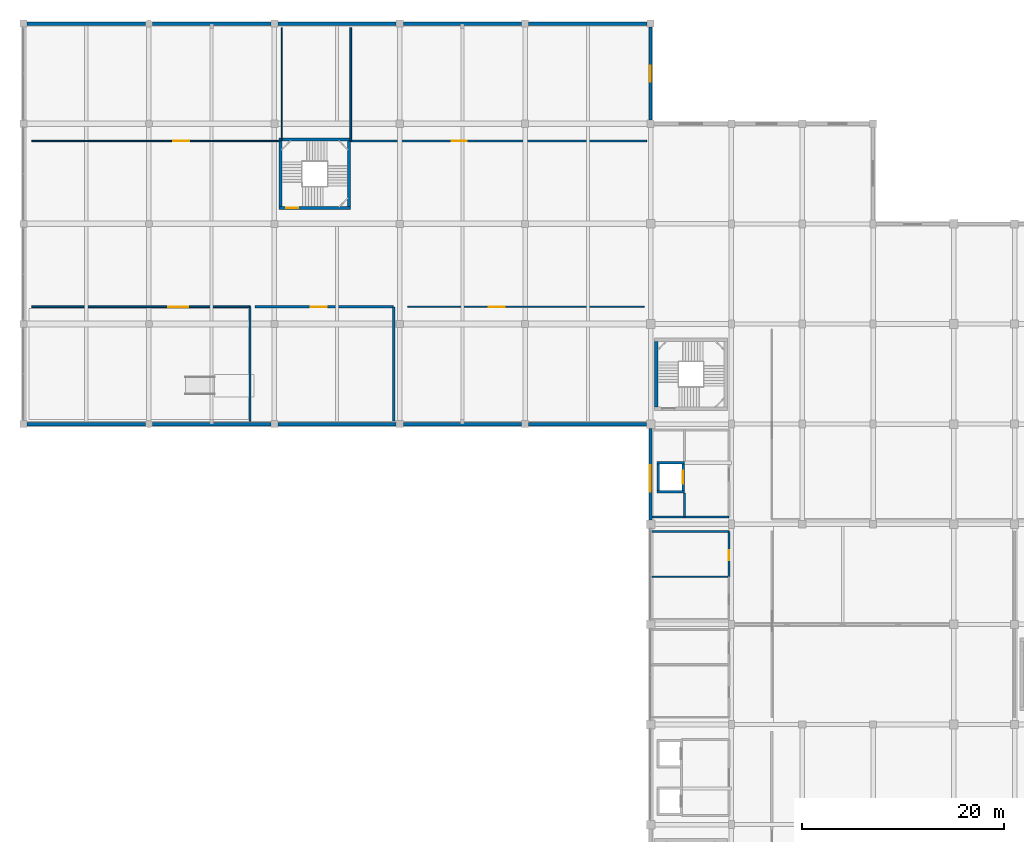
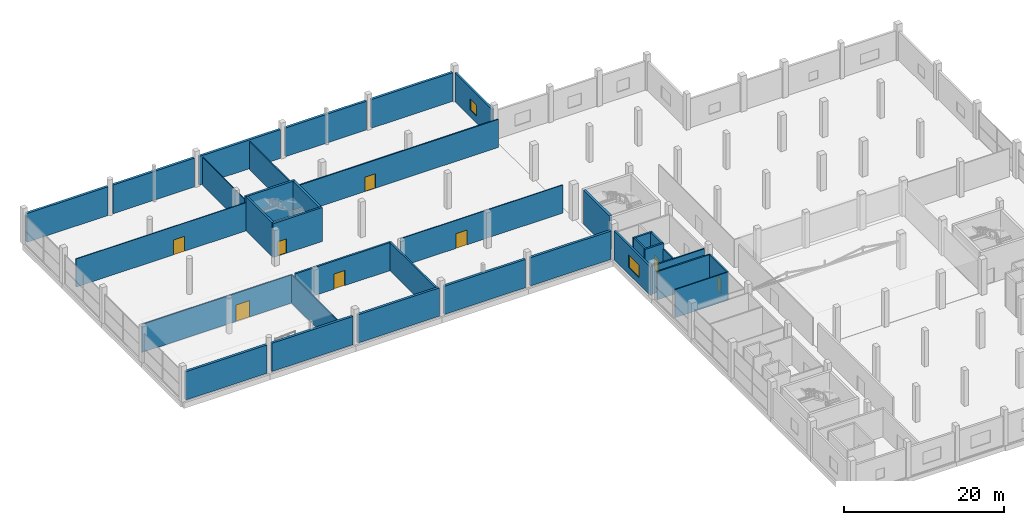
# One storey, part 45 of 72: 35 walls, 8 doors, 2 windows, 10 openings.
"""IFC4 building model written with IfcOpenShell, lengths in metres."""

from ifc_helpers import new_model, si_unit, direction, frame, frame_2d, origin, place, context, subcontext, project, spatial, rectangle, extrude, material, layer, layer_set, type_object, element, fill, save


model = new_model("IFC4")

# Units and contexts
model_context = context("Model", 3, precision=1e-05, world=origin(), true_north=direction((0.0, 1.0)))
body_context = subcontext(model_context, "Body", "Model", "MODEL_VIEW")
ifc_project = project(units=[si_unit("LENGTHUNIT", "METRE"), si_unit("AREAUNIT", "SQUARE_METRE"), si_unit("VOLUMEUNIT", "CUBIC_METRE"), si_unit("PLANEANGLEUNIT", "RADIAN"), si_unit("MASSUNIT", "GRAM", prefix="KILO")], contexts=[model_context])

# Site, building, storey
site_placement = place(None, origin())
site = spatial("IfcSite", under=ifc_project, at=site_placement, CompositionType="ELEMENT")
building_placement = place(site_placement, origin())
building = spatial("IfcBuilding", under=site, at=building_placement, Name="Sillaruma Civic Art Gallery", CompositionType="ELEMENT")
storey_placement = place(building_placement, frame((0.0, 0.0, 10.8798828125)))
storey = spatial("IfcBuildingStorey", under=building, at=storey_placement, Name="L02", CompositionType="ELEMENT", Elevation=10.8798828125)

# Wall, opening, door
ifc_material_1 = material(Name="Concrete H40 (40 MPa)", Category="concrete")
ifc_layer_1 = layer(ifc_material_1, 0.300048828125, Name="Concrete H40 (40 MPa)")
ifc_layer_set_1 = layer_set([ifc_layer_1], Name="Concrete H40 (40 MPa)")
wall_type_1 = type_object("IfcWallType", Name="WAL-CORE-300", PredefinedType="SHEAR", material=ifc_layer_set_1)
wall_1_placement = place(storey_placement, frame((25.260009765625, 100.550048828125, 0.0), z_axis=(0.0, 0.0, 1.0), x_axis=(1.0, 0.0, 0.0)))
wall_1 = element("IfcWall", 1, at=wall_1_placement, inside=storey, type_object=wall_type_1, Name="Stair Core Shear Wall W-CORE-300 (ST-01:L02:S)", PredefinedType="SHEAR", context=body_context, shape_type="SweptSolid", body=[
    extrude(rectangle(XDim=7.080078125, YDim=0.300048828125, at=frame_2d((3.5400390625, 0.0))), origin(), (0.0, 0.0, 1.0), 5.16015625),
])
opening_1_placement = place(wall_1_placement, frame((0.719970703125, 0.0, 0.0)))
opening_1 = element("IfcOpeningElement", 2, at=opening_1_placement, cuts=wall_1, Name="Opening D-STAIR", PredefinedType="OPENING", context=body_context, shape_type="SweptSolid", body=[
    extrude(rectangle(XDim=1.199951171875, YDim=2.199951171875, at=frame_2d((0.60009765625, 1.10009765625))), frame((0.0, 0.159912109375, 0.0), z_axis=(0.0, -1.0, 0.0), x_axis=(1.0, 0.0, 0.0)), (0.0, 0.0, 1.0), 0.320068359375),
])
ifc_material_2 = material(Name="Galvanised Steel ASTM A653 Gr.50", Category="steel")
door_type_1 = type_object("IfcDoorType", Name="DOR-STAIR-120", OperationType="NOTDEFINED", PredefinedType="DOOR", material=ifc_material_2)
door_1_placement = place(opening_1_placement, origin())
door_1 = element("IfcDoor", 3, at=door_1_placement, inside=storey, type_object=door_type_1, Name="Protected Stair Fire Door (ST-01:L02)", OperationType="SINGLE_SWING_RIGHT", OverallHeight=2.199951171875, OverallWidth=1.199951171875, PredefinedType="DOOR", context=body_context, shape_type="SweptSolid", body=[
    extrude(rectangle(XDim=1.199951171875, YDim=2.199951171875, at=frame_2d((0.60009765625, 1.10009765625))), frame((0.0, 0.02490234375, 0.0), z_axis=(0.0, -1.0, 0.0), x_axis=(1.0, 0.0, 0.0)), (0.0, 0.0, 1.0), 0.050048828125),
])
fill(opening_1, door_1)

# Walls
wall_2_placement = place(storey_placement, frame((25.260009765625, 107.330078125, 0.0), z_axis=(0.0, 0.0, 1.0), x_axis=(1.0, 0.0, 0.0)))
element("IfcWall", 4, at=wall_2_placement, inside=storey, type_object=wall_type_1, Name="Stair Core Shear Wall W-CORE-300 (ST-01:L02:N)", PredefinedType="SHEAR", context=body_context, shape_type="SweptSolid", body=[
    extrude(rectangle(XDim=7.080078125, YDim=0.300048828125, at=frame_2d((3.5400390625, 0.0))), origin(), (0.0, 0.0, 1.0), 5.16015625),
])
for number, where, z_axis, x_axis, name in (
    (5, (25.409912109375, 100.699951171875, 0.0), (0.0, 0.0, 1.0), (0.0, 1.0, 0.0), "Stair Core Shear Wall W-CORE-300 (ST-01:L02:W)"),
    (6, (32.18994140625, 100.699951171875, 0.0), (0.0, 0.0, 1.0), (0.0, 1.0, 0.0), "Stair Core Shear Wall W-CORE-300 (ST-01:L02:E)"),
):
    element("IfcWall", number, at=place(storey_placement, frame(where, z_axis=z_axis, x_axis=x_axis)), inside=storey, type_object=wall_type_1, Name=name, PredefinedType="SHEAR", context=body_context, shape_type="SweptSolid", body=[
        extrude(rectangle(XDim=6.47998046875, YDim=0.300048828125, at=frame_2d((3.239990234375, 0.0))), origin(), (0.0, 0.0, 1.0), 5.16015625),
    ])
ifc_layer_2 = layer(ifc_material_1, 0.35009765625, Name="Concrete H40 (40 MPa)")
ifc_layer_set_2 = layer_set([ifc_layer_2], Name="Concrete H40 (40 MPa)")
wall_type_2 = type_object("IfcWallType", Name="WAL-CORE-350", PredefinedType="SHEAR", material=ifc_layer_set_2)
wall_3_placement = place(storey_placement, frame((62.5849609375, 80.909912109375, 0.0), z_axis=(0.0, 0.0, 1.0), x_axis=(0.0, 1.0, 0.0)))
element("IfcWall", 7, at=wall_3_placement, inside=storey, type_object=wall_type_2, Name="Stair Core Shear Wall W-CORE-350 (ST-02:L02:W)", PredefinedType="SHEAR", context=body_context, shape_type="SweptSolid", body=[
    extrude(rectangle(XDim=6.47998046875, YDim=0.35009765625, at=frame_2d((3.239990234375, 0.0))), origin(), (0.0, 0.0, 1.0), 5.16015625),
])

# Wall, opening, window
ifc_material_3 = material(Name="Concrete H35 (35 MPa)", Category="concrete")
ifc_layer_3 = layer(ifc_material_3, 0.159912109375, Name="Concrete backup", Category="concrete")
ifc_material_4 = material(Name="Mineral Wool Thermal Insulation", Category="insulation")
ifc_layer_4 = layer(ifc_material_4, 0.090087890625, Name="Thermal insulation", Category="insulation")
ifc_material_5 = material(Name="Anodised Zinc-Aluminium Alloy", Category="aluminium")
ifc_layer_5 = layer(ifc_material_5, 0.030029296875, Name="Rainscreen finish", Category="aluminium")
ifc_layer_set_3 = layer_set([ifc_layer_3, ifc_layer_4, ifc_layer_5], Name="W-EXT-280")
wall_type_3 = type_object("IfcWallType", Name="WAL-EXT-280", PredefinedType="SOLIDWALL", material=ifc_layer_set_3)
wall_4_placement = place(storey_placement, frame((62.0, 69.72509765625, 0.0), z_axis=(0.0, 0.0, 1.0), x_axis=(0.0, 1.0, 0.0)))
wall_4 = element("IfcWall", 8, at=wall_4_placement, inside=storey, type_object=wall_type_3, Name="Exterior Wall W-EXT-280 (EW-L02-SPW-6)", PredefinedType="SOLIDWALL", context=body_context, shape_type="SweptSolid", body=[
    extrude(rectangle(XDim=9.0498046875, YDim=0.280029296875, at=frame_2d((4.52490234375, 0.0))), origin(), (0.0, 0.0, 1.0), 4.380126953125),
])
opening_2_placement = place(wall_4_placement, frame((2.800048828125, 0.0, 1.050048828125)))
opening_2 = element("IfcOpeningElement", 9, at=opening_2_placement, cuts=wall_4, Name="Opening WN-08", PredefinedType="OPENING", context=body_context, shape_type="SweptSolid", body=[
    extrude(rectangle(XDim=2.60009765625, YDim=1.85009765625, at=frame_2d((1.300048828125, 0.925048828125))), frame((0.0, 0.14990234375, 0.0), z_axis=(0.0, -1.0, 0.0), x_axis=(1.0, 0.0, 0.0)), (0.0, 0.0, 1.0), 0.300048828125),
])
ifc_material_6 = material(Name="Thermally Broken Extruded Aluminium 6063-T6", Category="aluminium")
window_type_1 = type_object("IfcWindowType", Name="WIN-W08", PartitioningType="SINGLE_PANEL", PredefinedType="WINDOW", material=ifc_material_6)
window_1_placement = place(opening_2_placement, origin())
window_1 = element("IfcWindow", 10, at=window_1_placement, inside=storey, type_object=window_type_1, Name="Window WN-08 (EW-L02-SPW-6-1)", OverallHeight=1.85009765625, OverallWidth=2.60009765625, PartitioningType="SINGLE_PANEL", PredefinedType="WINDOW", context=body_context, shape_type="SweptSolid", body=[
    extrude(rectangle(XDim=2.60009765625, YDim=1.85009765625, at=frame_2d((1.300048828125, 0.925048828125))), frame((0.0, 0.030029296875, 0.0), z_axis=(0.0, -1.0, 0.0), x_axis=(1.0, 0.0, 0.0)), (0.0, 0.0, 1.0), 0.06005859375),
])
fill(opening_2, window_1)

ifc_material_7 = material(Name="Precast Concrete H35 (35 MPa)", Category="concrete")
ifc_layer_6 = layer(ifc_material_7, 0.179931640625, Name="Precast backup", Category="concrete")
ifc_layer_7 = layer(ifc_material_4, 0.090087890625, Name="Thermal insulation", Category="insulation")
ifc_material_8 = material(Name="Comanche Granitic Ashlar Stone", Category="masonry")
ifc_layer_8 = layer(ifc_material_8, 0.030029296875, Name="Rainscreen cladding", Category="masonry")
ifc_layer_set_4 = layer_set([ifc_layer_6, ifc_layer_7, ifc_layer_8], Name="W-EXT-300")
wall_type_4 = type_object("IfcWallType", Name="WAL-EXT-300", PredefinedType="SOLIDWALL", material=ifc_layer_set_4)
wall_5_placement = place(storey_placement, frame((62.0, 109.25, 0.0), z_axis=(0.0, 0.0, 1.0), x_axis=(0.0, 1.0, 0.0)))
wall_5 = element("IfcWall", 11, at=wall_5_placement, inside=storey, type_object=wall_type_4, Name="Exterior Wall W-EXT-300 (EW-L02-PNW-W)", PredefinedType="SOLIDWALL", context=body_context, shape_type="SweptSolid", body=[
    extrude(rectangle(XDim=9.199951171875, YDim=0.300048828125, at=frame_2d((4.60009765625, 0.0))), origin(), (0.0, 0.0, 1.0), 4.380126953125),
])
opening_3_placement = place(wall_5_placement, frame((3.800048828125, 0.0, 1.050048828125)))
opening_3 = element("IfcOpeningElement", 12, at=opening_3_placement, cuts=wall_5, Name="Opening WN-05", PredefinedType="OPENING", context=body_context, shape_type="SweptSolid", body=[
    extrude(rectangle(XDim=1.60009765625, YDim=1.64990234375, at=frame_2d((0.800048828125, 0.824951171875))), frame((0.0, 0.159912109375, 0.0), z_axis=(0.0, -1.0, 0.0), x_axis=(1.0, 0.0, 0.0)), (0.0, 0.0, 1.0), 0.320068359375),
])
window_type_2 = type_object("IfcWindowType", Name="WIN-W05", PartitioningType="SINGLE_PANEL", PredefinedType="WINDOW", material=ifc_material_6)
window_2_placement = place(opening_3_placement, origin())
window_2 = element("IfcWindow", 13, at=window_2_placement, inside=storey, type_object=window_type_2, Name="Window WN-05 (EW-L02-PNW-W-1)", OverallHeight=1.64990234375, OverallWidth=1.60009765625, PartitioningType="SINGLE_PANEL", PredefinedType="WINDOW", context=body_context, shape_type="SweptSolid", body=[
    extrude(rectangle(XDim=1.60009765625, YDim=1.64990234375, at=frame_2d((0.800048828125, 0.824951171875))), frame((0.0, 0.030029296875, 0.0), z_axis=(0.0, -1.0, 0.0), x_axis=(1.0, 0.0, 0.0)), (0.0, 0.0, 1.0), 0.06005859375),
])
fill(opening_3, window_2)

# Walls
ifc_layer_9 = layer(ifc_material_1, 0.239990234375, Name="Boundary concrete", Category="concrete")
ifc_layer_10 = layer(ifc_material_4, 0.10009765625, Name="Acoustic-thermal liner", Category="insulation")
ifc_layer_set_5 = layer_set([ifc_layer_9, ifc_layer_10], Name="W-EXT-340")
wall_type_5 = type_object("IfcWallType", Name="WAL-EXT-340", PredefinedType="SOLIDWALL", material=ifc_layer_set_5)
wall_6_placement = place(storey_placement, frame((0.35009765625, 118.800048828125, 0.0), z_axis=(0.0, 0.0, 1.0), x_axis=(1.0, 0.0, 0.0)))
element("IfcWall", 14, at=wall_6_placement, inside=storey, type_object=wall_type_5, Name="Exterior Wall W-EXT-340 (EW-L02-WPN-1)", PredefinedType="SOLIDWALL", context=body_context, shape_type="SweptSolid", body=[
    extrude(rectangle(XDim=11.68994140625, YDim=0.340087890625, at=frame_2d((5.844970703125, 0.0))), origin(), (0.0, 0.0, 1.0), 4.380126953125),
])
wall_7_placement = place(storey_placement, frame((0.35009765625, 79.199951171875, 0.0), z_axis=(0.0, 0.0, 1.0), x_axis=(1.0, 0.0, 0.0)))
element("IfcWall", 15, at=wall_7_placement, inside=storey, type_object=wall_type_5, Name="Exterior Wall W-EXT-340 (EW-L02-WPS-1)", PredefinedType="SOLIDWALL", context=body_context, shape_type="SweptSolid", body=[
    extrude(rectangle(XDim=11.68994140625, YDim=0.340087890625, at=frame_2d((5.844970703125, 0.0))), origin(), (0.0, 0.0, 1.0), 4.31005859375),
])
wall_8_placement = place(storey_placement, frame((12.760009765625, 118.800048828125, 0.0), z_axis=(0.0, 0.0, 1.0), x_axis=(1.0, 0.0, 0.0)))
element("IfcWall", 16, at=wall_8_placement, inside=storey, type_object=wall_type_5, Name="Exterior Wall W-EXT-340 (EW-L02-WPN-2)", PredefinedType="SOLIDWALL", context=body_context, shape_type="SweptSolid", body=[
    extrude(rectangle(XDim=11.68994140625, YDim=0.340087890625, at=frame_2d((5.844970703125, 0.0))), origin(), (0.0, 0.0, 1.0), 4.380126953125),
])
wall_9_placement = place(storey_placement, frame((12.760009765625, 79.199951171875, 0.0), z_axis=(0.0, 0.0, 1.0), x_axis=(1.0, 0.0, 0.0)))
element("IfcWall", 17, at=wall_9_placement, inside=storey, type_object=wall_type_5, Name="Exterior Wall W-EXT-340 (EW-L02-WPS-2)", PredefinedType="SOLIDWALL", context=body_context, shape_type="SweptSolid", body=[
    extrude(rectangle(XDim=11.68994140625, YDim=0.340087890625, at=frame_2d((5.844970703125, 0.0))), origin(), (0.0, 0.0, 1.0), 4.31005859375),
])
wall_10_placement = place(storey_placement, frame((25.14990234375, 118.800048828125, 0.0), z_axis=(0.0, 0.0, 1.0), x_axis=(1.0, 0.0, 0.0)))
element("IfcWall", 18, at=wall_10_placement, inside=storey, type_object=wall_type_5, Name="Exterior Wall W-EXT-340 (EW-L02-WPN-3)", PredefinedType="SOLIDWALL", context=body_context, shape_type="SweptSolid", body=[
    extrude(rectangle(XDim=11.7001953125, YDim=0.340087890625, at=frame_2d((5.85009765625, 0.0))), origin(), (0.0, 0.0, 1.0), 4.380126953125),
])
wall_11_placement = place(storey_placement, frame((25.14990234375, 79.199951171875, 0.0), z_axis=(0.0, 0.0, 1.0), x_axis=(1.0, 0.0, 0.0)))
element("IfcWall", 19, at=wall_11_placement, inside=storey, type_object=wall_type_5, Name="Exterior Wall W-EXT-340 (EW-L02-WPS-3)", PredefinedType="SOLIDWALL", context=body_context, shape_type="SweptSolid", body=[
    extrude(rectangle(XDim=11.7001953125, YDim=0.340087890625, at=frame_2d((5.85009765625, 0.0))), origin(), (0.0, 0.0, 1.0), 4.31005859375),
])
wall_12_placement = place(storey_placement, frame((37.550048828125, 118.800048828125, 0.0), z_axis=(0.0, 0.0, 1.0), x_axis=(1.0, 0.0, 0.0)))
element("IfcWall", 20, at=wall_12_placement, inside=storey, type_object=wall_type_5, Name="Exterior Wall W-EXT-340 (EW-L02-WPN-4)", PredefinedType="SOLIDWALL", context=body_context, shape_type="SweptSolid", body=[
    extrude(rectangle(XDim=11.699951171875, YDim=0.340087890625, at=frame_2d((5.85009765625, 0.0))), origin(), (0.0, 0.0, 1.0), 4.380126953125),
])
wall_13_placement = place(storey_placement, frame((37.550048828125, 79.199951171875, 0.0), z_axis=(0.0, 0.0, 1.0), x_axis=(1.0, 0.0, 0.0)))
element("IfcWall", 21, at=wall_13_placement, inside=storey, type_object=wall_type_5, Name="Exterior Wall W-EXT-340 (EW-L02-WPS-4)", PredefinedType="SOLIDWALL", context=body_context, shape_type="SweptSolid", body=[
    extrude(rectangle(XDim=11.699951171875, YDim=0.340087890625, at=frame_2d((5.85009765625, 0.0))), origin(), (0.0, 0.0, 1.0), 4.31005859375),
])
wall_14_placement = place(storey_placement, frame((49.949951171875, 118.800048828125, 0.0), z_axis=(0.0, 0.0, 1.0), x_axis=(1.0, 0.0, 0.0)))
element("IfcWall", 22, at=wall_14_placement, inside=storey, type_object=wall_type_5, Name="Exterior Wall W-EXT-340 (EW-L02-WPN-5)", PredefinedType="SOLIDWALL", context=body_context, shape_type="SweptSolid", body=[
    extrude(rectangle(XDim=11.699951171875, YDim=0.340087890625, at=frame_2d((5.85009765625, 0.0))), origin(), (0.0, 0.0, 1.0), 4.380126953125),
])
wall_15_placement = place(storey_placement, frame((49.949951171875, 79.199951171875, 0.0), z_axis=(0.0, 0.0, 1.0), x_axis=(1.0, 0.0, 0.0)))
element("IfcWall", 23, at=wall_15_placement, inside=storey, type_object=wall_type_5, Name="Exterior Wall W-EXT-340 (EW-L02-WPS-5)", PredefinedType="SOLIDWALL", context=body_context, shape_type="SweptSolid", body=[
    extrude(rectangle(XDim=11.625, YDim=0.340087890625, at=frame_2d((5.8125, 0.0))), origin(), (0.0, 0.0, 1.0), 4.31005859375),
])
ifc_material_9 = material(Name="Concrete Masonry Unit Grade M15", Category="masonry")
ifc_layer_11 = layer(ifc_material_9, 0.199951171875, Name="Concrete Masonry Unit Grade M15")
ifc_layer_set_6 = layer_set([ifc_layer_11], Name="Concrete Masonry Unit Grade M15")
wall_type_6 = type_object("IfcWallType", Name="WAL-LOBBY-200", PredefinedType="SOLIDWALL", material=ifc_layer_set_6)
wall_16_placement = place(storey_placement, frame((62.14990234375, 70.0, 0.0), z_axis=(0.0, 0.0, 1.0), x_axis=(1.0, 0.0, 0.0)))
element("IfcWall", 24, at=wall_16_placement, inside=storey, type_object=wall_type_6, Name="Interior Wall W-LOBBY-200 (L02-FFL)", PredefinedType="SOLIDWALL", context=body_context, shape_type="SweptSolid", body=[
    extrude(rectangle(XDim=7.60009765625, YDim=0.199951171875, at=frame_2d((3.800048828125, 0.0))), origin(), (0.0, 0.0, 1.0), 4.280029296875),
])
wall_17_placement = place(storey_placement, frame((65.35009765625, 70.0, 0.0), z_axis=(0.0, 0.0, 1.0), x_axis=(0.0, 1.0, 0.0)))
element("IfcWall", 25, at=wall_17_placement, inside=storey, type_object=wall_type_6, Name="Interior Wall W-LOBBY-200 (L02-FFL)", PredefinedType="SOLIDWALL", context=body_context, shape_type="SweptSolid", body=[
    extrude(rectangle(XDim=2.39990234375, YDim=0.199951171875, at=frame_2d((1.199951171875, 0.0))), origin(), (0.0, 0.0, 1.0), 4.280029296875),
])
wall_18_placement = place(storey_placement, frame((62.14990234375, 68.60009765625, 0.0), z_axis=(0.0, 0.0, 1.0), x_axis=(1.0, 0.0, 0.0)))
element("IfcWall", 26, at=wall_18_placement, inside=storey, type_object=wall_type_6, Name="Interior Wall W-LOBBY-200 (L02-RSR)", PredefinedType="SOLIDWALL", context=body_context, shape_type="SweptSolid", body=[
    extrude(rectangle(XDim=7.60009765625, YDim=0.199951171875, at=frame_2d((3.800048828125, 0.0))), origin(), (0.0, 0.0, 1.0), 4.280029296875),
])

# Wall, opening, door
wall_19_placement = place(storey_placement, frame((69.75, 64.10009765625, 0.0), z_axis=(0.0, 0.0, 1.0), x_axis=(0.0, 1.0, 0.0)))
wall_19 = element("IfcWall", 27, at=wall_19_placement, inside=storey, type_object=wall_type_6, Name="Interior Wall W-LOBBY-200 (L02-RSR)", PredefinedType="SOLIDWALL", context=body_context, shape_type="SweptSolid", body=[
    extrude(rectangle(XDim=4.5, YDim=0.199951171875, at=frame_2d((2.25, 0.0))), origin(), (0.0, 0.0, 1.0), 4.280029296875),
])
opening_4_placement = place(wall_19_placement, frame((1.64990234375, 0.0, 0.0)))
opening_4 = element("IfcOpeningElement", 28, at=opening_4_placement, cuts=wall_19, Name="Opening D-RISER", PredefinedType="OPENING", context=body_context, shape_type="SweptSolid", body=[
    extrude(rectangle(XDim=1.0, YDim=2.14990234375, at=frame_2d((0.5, 1.074951171875))), frame((0.0, 0.10986328125, 0.0), z_axis=(0.0, -1.0, 0.0), x_axis=(1.0, 0.0, 0.0)), (0.0, 0.0, 1.0), 0.219970703125),
])
door_type_2 = type_object("IfcDoorType", Name="DOR-RISER-100", OperationType="NOTDEFINED", PredefinedType="DOOR", material=ifc_material_2)
door_2_placement = place(opening_4_placement, origin())
door_2 = element("IfcDoor", 29, at=door_2_placement, inside=storey, type_object=door_type_2, Name="MEP Service Riser Door (D-RISER)", OperationType="SINGLE_SWING_RIGHT", OverallHeight=2.14990234375, OverallWidth=1.0, PredefinedType="DOOR", context=body_context, shape_type="SweptSolid", body=[
    extrude(rectangle(XDim=1.0, YDim=2.14990234375, at=frame_2d((0.5, 1.074951171875))), frame((0.0, 0.02490234375, 0.0), z_axis=(0.0, -1.0, 0.0), x_axis=(1.0, 0.0, 0.0)), (0.0, 0.0, 1.0), 0.050048828125),
])
fill(opening_4, door_2)

# Walls
ifc_material_10 = material(Name="Gypsum Acoustic Board", Category="gypsum")
ifc_layer_12 = layer(ifc_material_10, 0.02490234375, Name="Finish board", Category="gypsum")
ifc_layer_13 = layer(ifc_material_4, 0.06005859375, Name="Acoustic core", Category="insulation")
ifc_material_11 = material(Name="Andean Oak Timber", Category="wood")
ifc_layer_14 = layer(ifc_material_11, 0.02490234375, Name="Gallery lining", Category="wood")
ifc_layer_set_7 = layer_set([ifc_layer_12, ifc_layer_13, ifc_layer_14], Name="W-PT-110")
wall_type_7 = type_object("IfcWallType", Name="WAL-PART-110", PredefinedType="PARTITIONING", material=ifc_layer_set_7)
wall_20_placement = place(storey_placement, frame((25.550048828125, 107.199951171875, 0.0), z_axis=(0.0, 0.0, 1.0), x_axis=(0.0, 1.0, 0.0)))
element("IfcWall", 30, at=wall_20_placement, inside=storey, type_object=wall_type_7, Name="Interior Wall W-PT-110 (L02-LRN2)", PredefinedType="PARTITIONING", context=body_context, shape_type="SweptSolid", body=[
    extrude(rectangle(XDim=11.199951171875, YDim=0.110107421875, at=frame_2d((5.60009765625, 0.0))), origin(), (0.0, 0.0, 1.0), 4.280029296875),
])
ifc_layer_15 = layer(ifc_material_10, 0.02490234375, Name="Finish board", Category="gypsum")
ifc_layer_16 = layer(ifc_material_4, 0.070068359375, Name="Acoustic core", Category="insulation")
ifc_layer_17 = layer(ifc_material_11, 0.02490234375, Name="Gallery lining", Category="wood")
ifc_layer_set_8 = layer_set([ifc_layer_15, ifc_layer_16, ifc_layer_17], Name="W-PT-120")
wall_type_8 = type_object("IfcWallType", Name="WAL-PART-120", PredefinedType="PARTITIONING", material=ifc_layer_set_8)
wall_21_placement = place(storey_placement, frame((62.14990234375, 64.10009765625, 0.0), z_axis=(0.0, 0.0, 1.0), x_axis=(1.0, 0.0, 0.0)))
element("IfcWall", 31, at=wall_21_placement, inside=storey, type_object=wall_type_8, Name="Interior Wall W-PT-120 (L02-CLN)", PredefinedType="PARTITIONING", context=body_context, shape_type="SweptSolid", body=[
    extrude(rectangle(XDim=7.60009765625, YDim=0.1201171875, at=frame_2d((3.800048828125, 0.0))), origin(), (0.0, 0.0, 1.0), 4.280029296875),
])

# Wall, opening, door
wall_22_placement = place(storey_placement, frame((0.800048828125, 107.199951171875, 0.0), z_axis=(0.0, 0.0, 1.0), x_axis=(1.0, 0.0, 0.0)))
wall_22 = element("IfcWall", 32, at=wall_22_placement, inside=storey, type_object=wall_type_8, Name="Interior Wall W-PT-120 (L02-LRN2)", PredefinedType="PARTITIONING", context=body_context, shape_type="SweptSolid", body=[
    extrude(rectangle(XDim=24.75, YDim=0.1201171875, at=frame_2d((12.375, 0.0))), origin(), (0.0, 0.0, 1.0), 4.280029296875),
])
opening_5_placement = place(wall_22_placement, frame((14.0, 0.0, 0.0)))
opening_5 = element("IfcOpeningElement", 33, at=opening_5_placement, cuts=wall_22, Name="Opening D-INT16", PredefinedType="OPENING", context=body_context, shape_type="SweptSolid", body=[
    extrude(rectangle(XDim=1.60009765625, YDim=2.25, at=frame_2d((0.800048828125, 1.125))), frame((0.0, 0.070068359375, 0.0), z_axis=(0.0, -1.0, 0.0), x_axis=(1.0, 0.0, 0.0)), (0.0, 0.0, 1.0), 0.14013671875),
])
door_type_3 = type_object("IfcDoorType", Name="DOR-INT-160", OperationType="NOTDEFINED", PredefinedType="DOOR", material=ifc_material_11)
door_3_placement = place(opening_5_placement, origin())
door_3 = element("IfcDoor", 34, at=door_3_placement, inside=storey, type_object=door_type_3, Name="Learning Centre Education Workshop Door (D-INT16)", OperationType="DOUBLE_DOOR_SINGLE_SWING", OverallHeight=2.25, OverallWidth=1.60009765625, PredefinedType="DOOR", context=body_context, shape_type="SweptSolid", body=[
    extrude(rectangle(XDim=1.60009765625, YDim=2.25, at=frame_2d((0.800048828125, 1.125))), frame((0.0, 0.02490234375, 0.0), z_axis=(0.0, -1.0, 0.0), x_axis=(1.0, 0.0, 0.0)), (0.0, 0.0, 1.0), 0.050048828125),
])
fill(opening_5, door_3)

ifc_layer_18 = layer(ifc_material_10, 0.02490234375, Name="Finish board", Category="gypsum")
ifc_layer_19 = layer(ifc_material_4, 0.080078125, Name="Acoustic core", Category="insulation")
ifc_layer_20 = layer(ifc_material_11, 0.02490234375, Name="Gallery lining", Category="wood")
ifc_layer_set_9 = layer_set([ifc_layer_18, ifc_layer_19, ifc_layer_20], Name="W-PT-130")
wall_type_9 = type_object("IfcWallType", Name="WAL-PART-130", PredefinedType="PARTITIONING", material=ifc_layer_set_9)
wall_23_placement = place(storey_placement, frame((38.0, 90.800048828125, 0.0), z_axis=(0.0, 0.0, 1.0), x_axis=(1.0, 0.0, 0.0)))
wall_23 = element("IfcWall", 35, at=wall_23_placement, inside=storey, type_object=wall_type_9, Name="Interior Wall W-PT-130 (L02-LRN1)", PredefinedType="PARTITIONING", context=body_context, shape_type="SweptSolid", body=[
    extrude(rectangle(XDim=23.39990234375, YDim=0.1298828125, at=frame_2d((11.699951171875, 0.0))), origin(), (0.0, 0.0, 1.0), 4.280029296875),
])
opening_6_placement = place(wall_23_placement, frame((8.0, 0.0, 0.0)))
opening_6 = element("IfcOpeningElement", 36, at=opening_6_placement, cuts=wall_23, Name="Opening D-INT16", PredefinedType="OPENING", context=body_context, shape_type="SweptSolid", body=[
    extrude(rectangle(XDim=1.60009765625, YDim=2.25, at=frame_2d((0.800048828125, 1.125))), frame((0.0, 0.074951171875, 0.0), z_axis=(0.0, -1.0, 0.0), x_axis=(1.0, 0.0, 0.0)), (0.0, 0.0, 1.0), 0.14990234375),
])
door_4_placement = place(opening_6_placement, origin())
door_4 = element("IfcDoor", 37, at=door_4_placement, inside=storey, type_object=door_type_3, Name="Learning Centre Seminar Room Door (D-INT16)", OperationType="DOUBLE_DOOR_SINGLE_SWING", OverallHeight=2.25, OverallWidth=1.60009765625, PredefinedType="DOOR", context=body_context, shape_type="SweptSolid", body=[
    extrude(rectangle(XDim=1.60009765625, YDim=2.25, at=frame_2d((0.800048828125, 1.125))), frame((0.0, 0.02490234375, 0.0), z_axis=(0.0, -1.0, 0.0), x_axis=(1.0, 0.0, 0.0)), (0.0, 0.0, 1.0), 0.050048828125),
])
fill(opening_6, door_4)

# Walls
ifc_layer_21 = layer(ifc_material_10, 0.02490234375, Name="Finish board", Category="gypsum")
ifc_layer_22 = layer(ifc_material_4, 0.114990234375, Name="Acoustic core", Category="insulation")
ifc_layer_23 = layer(ifc_material_11, 0.02490234375, Name="Gallery lining", Category="wood")
ifc_layer_set_10 = layer_set([ifc_layer_21, ifc_layer_22, ifc_layer_23], Name="W-PT-165")
wall_type_10 = type_object("IfcWallType", Name="WAL-PART-165", PredefinedType="PARTITIONING", material=ifc_layer_set_10)
wall_24_placement = place(storey_placement, frame((22.39990234375, 79.5, 0.0), z_axis=(0.0, 0.0, 1.0), x_axis=(0.0, 1.0, 0.0)))
element("IfcWall", 38, at=wall_24_placement, inside=storey, type_object=wall_type_10, Name="Interior Wall W-PT-165 (L02-AUD)", PredefinedType="PARTITIONING", context=body_context, shape_type="SweptSolid", body=[
    extrude(rectangle(XDim=11.300048828125, YDim=0.1650390625, at=frame_2d((5.64990234375, 0.0))), origin(), (0.0, 0.0, 1.0), 4.280029296875),
])
wall_25_placement = place(storey_placement, frame((32.35009765625, 107.199951171875, 0.0), z_axis=(0.0, 0.0, 1.0), x_axis=(0.0, 1.0, 0.0)))
element("IfcWall", 39, at=wall_25_placement, inside=storey, type_object=wall_type_10, Name="Interior Wall W-PT-165 (L02-CUR21)", PredefinedType="PARTITIONING", context=body_context, shape_type="SweptSolid", body=[
    extrude(rectangle(XDim=11.199951171875, YDim=0.1650390625, at=frame_2d((5.60009765625, 0.0))), origin(), (0.0, 0.0, 1.0), 4.280029296875),
])

# Wall, opening, door
ifc_layer_24 = layer(ifc_material_10, 0.02490234375, Name="Finish board", Category="gypsum")
ifc_layer_25 = layer(ifc_material_4, 0.1298828125, Name="Acoustic core", Category="insulation")
ifc_layer_26 = layer(ifc_material_11, 0.02490234375, Name="Gallery lining", Category="wood")
ifc_layer_set_11 = layer_set([ifc_layer_24, ifc_layer_25, ifc_layer_26], Name="W-PT-180")
wall_type_11 = type_object("IfcWallType", Name="WAL-PART-180", PredefinedType="PARTITIONING", material=ifc_layer_set_11)
wall_26_placement = place(storey_placement, frame((0.800048828125, 90.800048828125, 0.0), z_axis=(0.0, 0.0, 1.0), x_axis=(1.0, 0.0, 0.0)))
wall_26 = element("IfcWall", 40, at=wall_26_placement, inside=storey, type_object=wall_type_11, Name="Interior Wall W-PT-180 (L02-AUD)", PredefinedType="PARTITIONING", context=body_context, shape_type="SweptSolid", body=[
    extrude(rectangle(XDim=21.599853515625, YDim=0.179931640625, at=frame_2d((10.7998046875, 0.0))), origin(), (0.0, 0.0, 1.0), 4.280029296875),
])
opening_7_placement = place(wall_26_placement, frame((13.5, 0.0, 0.0)))
opening_7 = element("IfcOpeningElement", 41, at=opening_7_placement, cuts=wall_26, Name="Opening D-GAL20", PredefinedType="OPENING", context=body_context, shape_type="SweptSolid", body=[
    extrude(rectangle(XDim=2.0, YDim=2.5, at=frame_2d((1.0, 1.25))), frame((0.0, 0.099853515625, 0.0), z_axis=(0.0, -1.0, 0.0), x_axis=(1.0, 0.0, 0.0)), (0.0, 0.0, 1.0), 0.199951171875),
])
door_type_4 = type_object("IfcDoorType", Name="DOR-GAL-200", OperationType="NOTDEFINED", PredefinedType="DOOR", material=ifc_material_11)
door_5_placement = place(opening_7_placement, origin())
door_5 = element("IfcDoor", 42, at=door_5_placement, inside=storey, type_object=door_type_4, Name="Learning Auditorium Door (D-GAL20)", OperationType="DOUBLE_DOOR_SINGLE_SWING", OverallHeight=2.5, OverallWidth=2.0, PredefinedType="DOOR", context=body_context, shape_type="SweptSolid", body=[
    extrude(rectangle(XDim=2.0, YDim=2.5, at=frame_2d((1.0, 1.25))), frame((0.0, 0.02490234375, 0.0), z_axis=(0.0, -1.0, 0.0), x_axis=(1.0, 0.0, 0.0)), (0.0, 0.0, 1.0), 0.050048828125),
])
fill(opening_7, door_5)

wall_27_placement = place(storey_placement, frame((32.35009765625, 107.199951171875, 0.0), z_axis=(0.0, 0.0, 1.0), x_axis=(1.0, 0.0, 0.0)))
wall_27 = element("IfcWall", 43, at=wall_27_placement, inside=storey, type_object=wall_type_11, Name="Interior Wall W-PT-180 (L02-CUR21)", PredefinedType="PARTITIONING", context=body_context, shape_type="SweptSolid", body=[
    extrude(rectangle(XDim=29.25, YDim=0.179931640625, at=frame_2d((14.625, 0.0))), origin(), (0.0, 0.0, 1.0), 4.280029296875),
])
opening_8_placement = place(wall_27_placement, frame((10.0, 0.0, 0.0)))
opening_8 = element("IfcOpeningElement", 44, at=opening_8_placement, cuts=wall_27, Name="Opening D-INT15", PredefinedType="OPENING", context=body_context, shape_type="SweptSolid", body=[
    extrude(rectangle(XDim=1.5, YDim=2.199951171875, at=frame_2d((0.75, 1.10009765625))), frame((0.0, 0.099853515625, 0.0), z_axis=(0.0, -1.0, 0.0), x_axis=(1.0, 0.0, 0.0)), (0.0, 0.0, 1.0), 0.199951171875),
])
door_type_5 = type_object("IfcDoorType", Name="DOR-INT-150", OperationType="NOTDEFINED", PredefinedType="DOOR", material=ifc_material_11)
door_6_placement = place(opening_8_placement, origin())
door_6 = element("IfcDoor", 45, at=door_6_placement, inside=storey, type_object=door_type_5, Name="Art Library and Curatorial Office Door (D-INT15)", OperationType="SINGLE_SWING_LEFT", OverallHeight=2.199951171875, OverallWidth=1.5, PredefinedType="DOOR", context=body_context, shape_type="SweptSolid", body=[
    extrude(rectangle(XDim=1.5, YDim=2.199951171875, at=frame_2d((0.75, 1.10009765625))), frame((0.0, 0.02490234375, 0.0), z_axis=(0.0, -1.0, 0.0), x_axis=(1.0, 0.0, 0.0)), (0.0, 0.0, 1.0), 0.050048828125),
])
fill(opening_8, door_6)

# Walls
ifc_layer_27 = layer(ifc_material_1, 0.25, Name="Concrete H40 (40 MPa)")
ifc_layer_set_12 = layer_set([ifc_layer_27], Name="Concrete H40 (40 MPa)")
wall_type_12 = type_object("IfcWallType", Name="WAL-SHAFT-250", PredefinedType="SOLIDWALL", material=ifc_layer_set_12)
for number, where, z_axis, x_axis, name in (
    (46, (62.64990234375, 72.52490234375, 0.0), (0.0, 0.0, 1.0), (1.0, 0.0, 0.0), "Lift Shaft Wall W-SHAFT-250 (FFL-01:L02:S)"),
    (47, (62.64990234375, 75.375, 0.0), (0.0, 0.0, 1.0), (1.0, 0.0, 0.0), "Lift Shaft Wall W-SHAFT-250 (FFL-01:L02:N)"),
):
    element("IfcWall", number, at=place(storey_placement, frame(where, z_axis=z_axis, x_axis=x_axis)), inside=storey, type_object=wall_type_12, Name=name, PredefinedType="SOLIDWALL", context=body_context, shape_type="SweptSolid", body=[
        extrude(rectangle(XDim=2.7001953125, YDim=0.25, at=frame_2d((1.35009765625, 0.0))), origin(), (0.0, 0.0, 1.0), 5.14013671875),
    ])
wall_28_placement = place(storey_placement, frame((62.77490234375, 72.64990234375, 0.0), z_axis=(0.0, 0.0, 1.0), x_axis=(0.0, 1.0, 0.0)))
element("IfcWall", 48, at=wall_28_placement, inside=storey, type_object=wall_type_12, Name="Lift Shaft Wall W-SHAFT-250 (FFL-01:L02:W)", PredefinedType="SOLIDWALL", context=body_context, shape_type="SweptSolid", body=[
    extrude(rectangle(XDim=2.60009765625, YDim=0.25, at=frame_2d((1.300048828125, 0.0))), origin(), (0.0, 0.0, 1.0), 5.14013671875),
])

# Wall, opening, door
wall_29_placement = place(storey_placement, frame((65.22509765625, 72.64990234375, 0.0), z_axis=(0.0, 0.0, 1.0), x_axis=(0.0, 1.0, 0.0)))
wall_29 = element("IfcWall", 49, at=wall_29_placement, inside=storey, type_object=wall_type_12, Name="Lift Shaft Wall W-SHAFT-250 (FFL-01:L02:E)", PredefinedType="SOLIDWALL", context=body_context, shape_type="SweptSolid", body=[
    extrude(rectangle(XDim=2.60009765625, YDim=0.25, at=frame_2d((1.300048828125, 0.0))), origin(), (0.0, 0.0, 1.0), 5.14013671875),
])
opening_9_placement = place(wall_29_placement, frame((0.675048828125, 0.0, 0.0)))
opening_9 = element("IfcOpeningElement", 50, at=opening_9_placement, cuts=wall_29, Name="Opening LD-02", PredefinedType="OPENING", context=body_context, shape_type="SweptSolid", body=[
    extrude(rectangle(XDim=1.25, YDim=2.199951171875, at=frame_2d((0.625, 1.10009765625))), frame((0.0, 0.135009765625, 0.0), z_axis=(0.0, -1.0, 0.0), x_axis=(1.0, 0.0, 0.0)), (0.0, 0.0, 1.0), 0.27001953125),
])
door_type_6 = type_object("IfcDoorType", Name="DOR-LD-02", OperationType="NOTDEFINED", PredefinedType="DOOR", material=ifc_material_2)
door_7_placement = place(opening_9_placement, origin())
door_7 = element("IfcDoor", 51, at=door_7_placement, inside=storey, type_object=door_type_6, Name="Lift Sliding Landing Door LD-02 (FFL-01:L02)", OperationType="DOUBLE_DOOR_SLIDING", OverallHeight=2.199951171875, OverallWidth=1.25, PredefinedType="DOOR", context=body_context, shape_type="SweptSolid", body=[
    extrude(rectangle(XDim=1.25, YDim=2.199951171875, at=frame_2d((0.625, 1.10009765625))), frame((0.0, 0.02490234375, 0.0), z_axis=(0.0, -1.0, 0.0), x_axis=(1.0, 0.0, 0.0)), (0.0, 0.0, 1.0), 0.050048828125),
])
fill(opening_9, door_7)

ifc_layer_28 = layer(ifc_material_9, 0.2548828125, Name="Concrete Masonry Unit Grade M15")
ifc_layer_set_13 = layer_set([ifc_layer_28], Name="Concrete Masonry Unit Grade M15")
wall_type_13 = type_object("IfcWallType", Name="WAL-STORE-250", PredefinedType="SOLIDWALL", material=ifc_layer_set_13)
wall_30_placement = place(storey_placement, frame((22.89990234375, 90.800048828125, 0.0), z_axis=(0.0, 0.0, 1.0), x_axis=(1.0, 0.0, 0.0)))
wall_30 = element("IfcWall", 52, at=wall_30_placement, inside=storey, type_object=wall_type_13, Name="Interior Wall W-STORE-250 (L02-STR22)", PredefinedType="SOLIDWALL", context=body_context, shape_type="SweptSolid", body=[
    extrude(rectangle(XDim=13.7001953125, YDim=0.2548828125, at=frame_2d((6.85009765625, 0.0))), origin(), (0.0, 0.0, 1.0), 4.280029296875),
])
opening_10_placement = place(wall_30_placement, frame((5.5, 0.0, 0.0)))
opening_10 = element("IfcOpeningElement", 53, at=opening_10_placement, cuts=wall_30, Name="Opening D-STR16", PredefinedType="OPENING", context=body_context, shape_type="SweptSolid", body=[
    extrude(rectangle(XDim=1.60009765625, YDim=2.300048828125, at=frame_2d((0.800048828125, 1.14990234375))), frame((0.0, 0.137451171875, 0.0), z_axis=(0.0, -1.0, 0.0), x_axis=(1.0, 0.0, 0.0)), (0.0, 0.0, 1.0), 0.27490234375),
])
door_type_7 = type_object("IfcDoorType", Name="DOR-STORE-160", OperationType="NOTDEFINED", PredefinedType="DOOR", material=ifc_material_2)
door_8_placement = place(opening_10_placement, origin())
door_8 = element("IfcDoor", 54, at=door_8_placement, inside=storey, type_object=door_type_7, Name="West Learning Didactic Art Store Door (D-STR16)", OperationType="DOUBLE_DOOR_SINGLE_SWING", OverallHeight=2.300048828125, OverallWidth=1.60009765625, PredefinedType="DOOR", context=body_context, shape_type="SweptSolid", body=[
    extrude(rectangle(XDim=1.60009765625, YDim=2.300048828125, at=frame_2d((0.800048828125, 1.14990234375))), frame((0.0, 0.02490234375, 0.0), z_axis=(0.0, -1.0, 0.0), x_axis=(1.0, 0.0, 0.0)), (0.0, 0.0, 1.0), 0.050048828125),
])
fill(opening_10, door_8)

# Wall
wall_31_placement = place(storey_placement, frame((36.60009765625, 79.5, 0.0), z_axis=(0.0, 0.0, 1.0), x_axis=(0.0, 1.0, 0.0)))
element("IfcWall", 55, at=wall_31_placement, inside=storey, type_object=wall_type_13, Name="Interior Wall W-STORE-250 (L02-STR22)", PredefinedType="SOLIDWALL", context=body_context, shape_type="SweptSolid", body=[
    extrude(rectangle(XDim=11.300048828125, YDim=0.2548828125, at=frame_2d((5.64990234375, 0.0))), origin(), (0.0, 0.0, 1.0), 4.280029296875),
])

save(model, "model.ifc")
